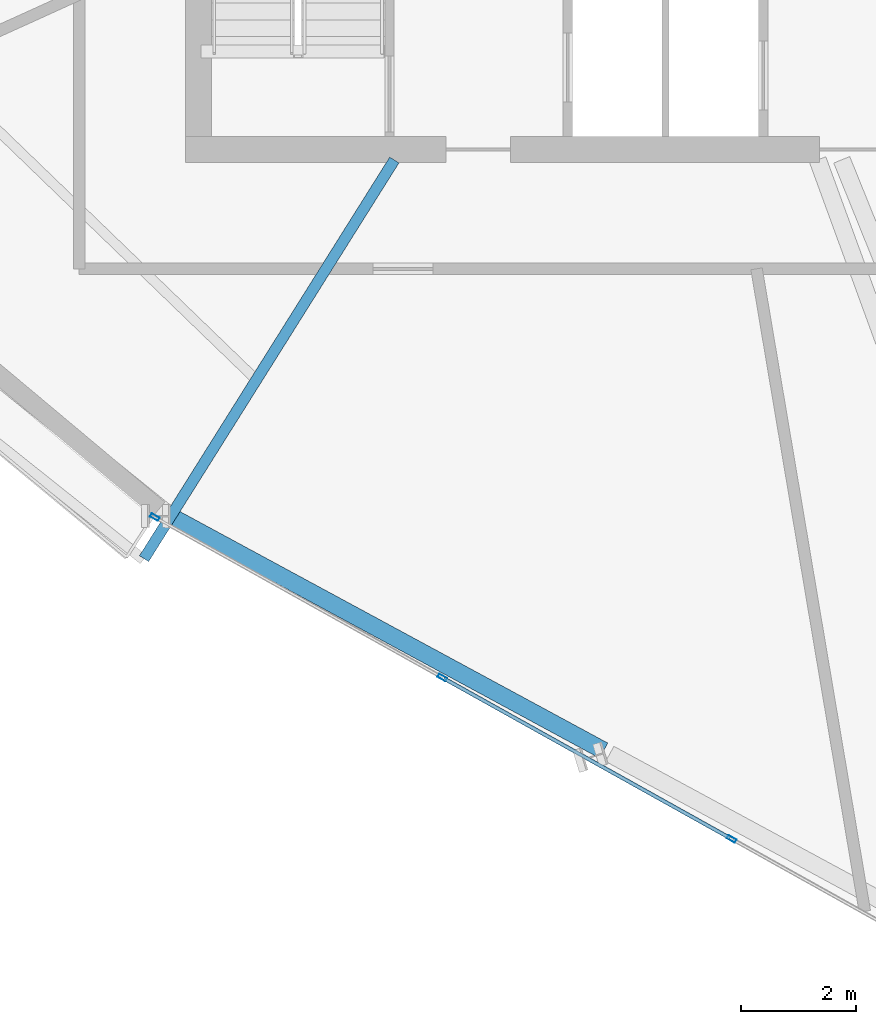
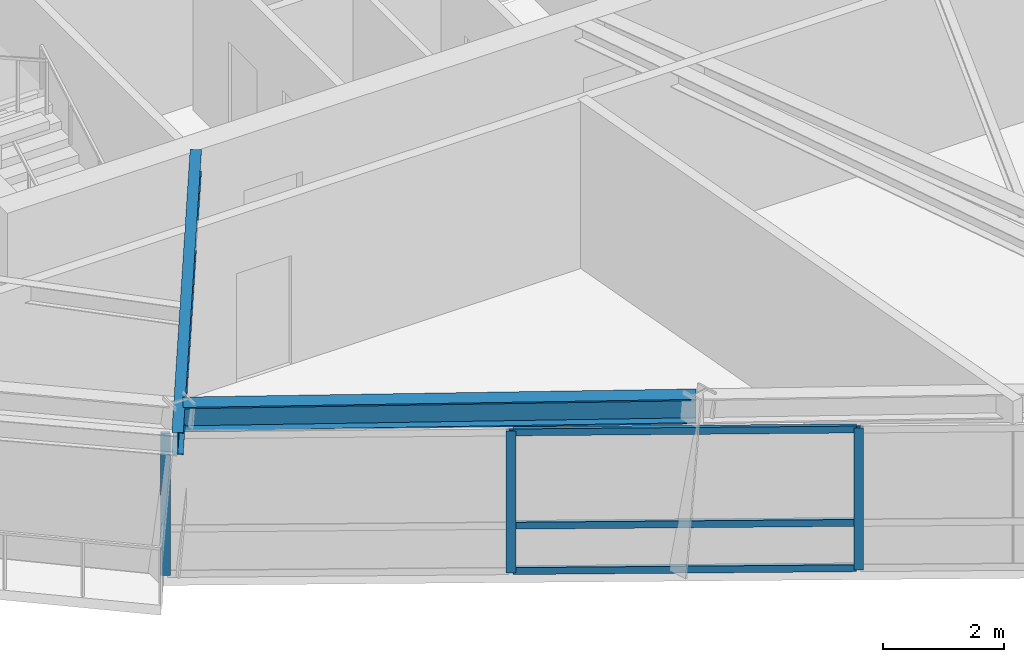
# One storey, part 2 of 13: 6 members, 2 beams, 1 element without a shape of its own.
"""IFC4 building model written with IfcOpenShell, lengths in metres."""

from ifc_helpers import new_model, si_unit, direction, frame, origin, origin_2d, place, context, subcontext, project, spatial, hollow_rectangle, i_section, extrude, source, transform, mapped, material, material_profile, profile_set, type_object, element, aggregate, save


model = new_model("IFC4")

# Units and contexts
model_context = context("Model", 3, precision=1e-05, world=origin(), true_north=direction((0.0, 1.0)))
body_context = subcontext(model_context, "Body", "Model", "MODEL_VIEW")
ifc_project = project(units=[si_unit("LENGTHUNIT", "METRE"), si_unit("AREAUNIT", "SQUARE_METRE"), si_unit("VOLUMEUNIT", "CUBIC_METRE"), si_unit("PLANEANGLEUNIT", "RADIAN"), si_unit("MASSUNIT", "GRAM", prefix="KILO")], contexts=[model_context])

# Site, building, storey
site_placement = place(None, origin())
site = spatial("IfcSite", under=ifc_project, at=site_placement, CompositionType="ELEMENT")
building_placement = place(site_placement, origin())
building = spatial("IfcBuilding", under=site, at=building_placement, Name="Olszyna Solenne Hotel", CompositionType="ELEMENT")
storey_placement = place(building_placement, frame((0.0, 0.0, 266.89990234375)))
storey = spatial("IfcBuildingStorey", under=building, at=storey_placement, Name="L71", CompositionType="ELEMENT", Elevation=266.89990234375)

# Beams
ifc_material_1 = material(Name="Steel S355J2", Category="steel")
ifc_material_profile_1 = material_profile(ifc_material_1, i_section(OverallWidth=0.300048828125, OverallDepth=0.5, WebThickness=0.014404296875, FlangeThickness=0.028076171875, at=origin_2d()), Name="HEB 500", Category="load-bearing")
ifc_profile_set_1 = profile_set([ifc_material_profile_1], Name="Steel S355J2")
beam_type_1 = type_object("IfcBeamType", Name="BM-S3", PredefinedType="BEAM", material=ifc_profile_set_1)
shared_shape_1 = source(origin(), body_context, "Body", "SweptSolid", [
    extrude(i_section(OverallWidth=0.300048828125, OverallDepth=0.5, WebThickness=0.014404296875, FlangeThickness=0.028076171875, at=origin_2d()), origin(), (0.0, 0.0, 1.0), 8.508056640625),
])
beam_1_placement = place(storey_placement, frame((29.442626953125, 12.867431640625, 3.130126953125), z_axis=(0.879509188513, -0.475881904806, 0.0), x_axis=(0.475881904806, 0.879509188513, 0.0)))
element("IfcBeam", 1, at=beam_1_placement, inside=storey, type_object=beam_type_1, Name="Perimeter spandrel beam BM-S3 B-L71-2088", PredefinedType="BEAM", context=body_context, shape_type="MappedRepresentation", body=[
    mapped(shared_shape_1, transform((0.0, 0.0, 0.0), x_axis=(1.0, 0.0, 0.0), y_axis=(0.0, 1.0, 0.0), z_axis=(0.0, 0.0, 1.0), scale=1.0)),
])
ifc_material_profile_2 = material_profile(ifc_material_1, i_section(OverallWidth=0.18994140625, OverallDepth=0.449951171875, WebThickness=0.009521484375, FlangeThickness=0.0146484375, at=origin_2d()), Name="IPE 450", Category="load-bearing")
ifc_profile_set_2 = profile_set([ifc_material_profile_2], Name="Steel S355J2")
beam_type_2 = type_object("IfcBeamType", Name="BM-F4", PredefinedType="BEAM", material=ifc_profile_set_2)
shared_shape_2 = source(origin(), body_context, "Body", "SweptSolid", [
    extrude(i_section(OverallWidth=0.18994140625, OverallDepth=0.449951171875, WebThickness=0.009521484375, FlangeThickness=0.0146484375, at=origin_2d()), origin(), (0.0, 0.0, 1.0), 8.188232421875),
])
beam_2_placement = place(storey_placement, frame((28.928955078125, 12.15771484375, 3.155029296875), z_axis=(0.531745255386, 0.846904353144, 0.0), x_axis=(-0.846904353144, 0.531745255386, 0.0)))
element("IfcBeam", 2, at=beam_2_placement, inside=storey, type_object=beam_type_2, Name="Radial floor girder BM-F4 B-L71-2099", PredefinedType="BEAM", context=body_context, shape_type="MappedRepresentation", body=[
    mapped(shared_shape_2, transform((0.0, 0.0, 0.0), x_axis=(1.0, 0.0, 0.0), y_axis=(0.0, 1.0, 0.0), z_axis=(0.0, 0.0, 1.0), scale=1.0)),
])

# Curtain wall, members
ifc_material_2 = material(Name="Anodised bronze aluminium", Category="aluminium")
curtain_wall_type = type_object("IfcCurtainWallType", Name="CW-SYS-4", PredefinedType="NOTDEFINED", material=ifc_material_2)
curtain_wall_placement = place(storey_placement, origin())
curtain_wall = element("IfcCurtainWall", 3, at=curtain_wall_placement, inside=storey, type_object=curtain_wall_type, Name="Unitised curtain wall CW-SYS-4 CW-L71-01", PredefinedType="NOTDEFINED")
ifc_material_profile_3 = material_profile(ifc_material_2, hollow_rectangle(XDim=0.06494140625, YDim=0.159912109375, WallThickness=0.00390625, at=origin_2d()), Name="MULL 160x65x4", Category="load-bearing")
ifc_profile_set_3 = profile_set([ifc_material_profile_3], Name="Anodised bronze aluminium")
member_type_1 = type_object("IfcMemberType", Name="CW-M3", PredefinedType="MULLION", material=ifc_profile_set_3)
shared_shape_3 = source(origin(), body_context, "Body", "SweptSolid", [
    extrude(hollow_rectangle(XDim=0.06494140625, YDim=0.159912109375, WallThickness=0.00390625, at=origin_2d()), origin(), (0.0, 0.0, 1.0), 2.8720703125),
])
member_1_placement = place(storey_placement, frame((29.1142578125, 12.880859375, 0.0), z_axis=(0.0, 0.0, 1.0), x_axis=(0.487245732565, 0.873264906026, 0.0)))
member_1 = element("IfcMember", 4, at=member_1_placement, type_object=member_type_1, Name="Curtain-wall mullion CW-M3 CM-L71-01-01", PredefinedType="MULLION", context=body_context, shape_type="MappedRepresentation", body=[
    mapped(shared_shape_3, transform((0.0, 0.0, 0.0), x_axis=(1.0, 0.0, 0.0), y_axis=(0.0, 1.0, 0.0), z_axis=(0.0, 0.0, 1.0), scale=1.0)),
])
member_2_placement = place(storey_placement, frame((34.117919921875, 10.089111328125, 0.0), z_axis=(0.0, 0.0, 1.0), x_axis=(0.487245732565, 0.873264906026, 0.0)))
member_2 = element("IfcMember", 5, at=member_2_placement, type_object=member_type_1, Name="Curtain-wall mullion CW-M3 CM-L71-01-02", PredefinedType="MULLION", context=body_context, shape_type="MappedRepresentation", body=[
    mapped(shared_shape_3, transform((0.0, 0.0, 0.0), x_axis=(1.0, 0.0, 0.0), y_axis=(0.0, 1.0, 0.0), z_axis=(0.0, 0.0, 1.0), scale=1.0)),
])
member_3_placement = place(storey_placement, frame((39.14990234375, 7.281494140625, 0.0), z_axis=(0.0, 0.0, 1.0), x_axis=(0.487245732565, 0.873264906026, 0.0)))
member_3 = element("IfcMember", 6, at=member_3_placement, type_object=member_type_1, Name="Curtain-wall mullion CW-M3 CM-L71-01-03", PredefinedType="MULLION", context=body_context, shape_type="MappedRepresentation", body=[
    mapped(shared_shape_3, transform((0.0, 0.0, 0.0), x_axis=(1.0, 0.0, 0.0), y_axis=(0.0, 1.0, 0.0), z_axis=(0.0, 0.0, 1.0), scale=1.0)),
])
ifc_material_profile_4 = material_profile(ifc_material_2, hollow_rectangle(XDim=0.06494140625, YDim=0.139892578125, WallThickness=0.00390625, at=origin_2d()), Name="TRAN 140x65x4", Category="load-bearing")
ifc_profile_set_4 = profile_set([ifc_material_profile_4], Name="Anodised bronze aluminium")
member_type_2 = type_object("IfcMemberType", Name="CW-T2", PredefinedType="USERDEFINED", material=ifc_profile_set_4)
shared_shape_4 = source(origin(), body_context, "Body", "SweptSolid", [
    extrude(hollow_rectangle(XDim=0.06494140625, YDim=0.139892578125, WallThickness=0.00390625, at=origin_2d()), origin(), (0.0, 0.0, 1.0), 5.697265625),
])
member_4_placement = place(storey_placement, frame((34.146240234375, 10.0732421875, 0.03271484375), z_axis=(0.873276573208, -0.487224821501, 0.0), x_axis=(0.487224821501, 0.873276573208, 0.0)))
member_4 = element("IfcMember", 7, at=member_4_placement, type_object=member_type_2, Name="Curtain-wall transom CW-T2 CT-L71-01-04", ObjectType="TRANSOM", PredefinedType="USERDEFINED", context=body_context, shape_type="MappedRepresentation", body=[
    mapped(shared_shape_4, transform((0.0, 0.0, 0.0), x_axis=(1.0, 0.0, 0.0), y_axis=(0.0, 1.0, 0.0), z_axis=(0.0, 0.0, 1.0), scale=1.0)),
])
member_5_placement = place(storey_placement, frame((34.146240234375, 10.0732421875, 0.9501953125), z_axis=(0.873276573208, -0.487224821501, 0.0), x_axis=(0.487224821501, 0.873276573208, 0.0)))
member_5 = element("IfcMember", 8, at=member_5_placement, type_object=member_type_2, Name="Curtain-wall transom CW-T2 CT-L71-01-05", ObjectType="TRANSOM", PredefinedType="USERDEFINED", context=body_context, shape_type="MappedRepresentation", body=[
    mapped(shared_shape_4, transform((0.0, 0.0, 0.0), x_axis=(1.0, 0.0, 0.0), y_axis=(0.0, 1.0, 0.0), z_axis=(0.0, 0.0, 1.0), scale=1.0)),
])
member_6_placement = place(storey_placement, frame((34.146240234375, 10.0732421875, 2.839599609375), z_axis=(0.873276573208, -0.487224821501, 0.0), x_axis=(0.487224821501, 0.873276573208, 0.0)))
member_6 = element("IfcMember", 9, at=member_6_placement, type_object=member_type_2, Name="Curtain-wall transom CW-T2 CT-L71-01-06", ObjectType="TRANSOM", PredefinedType="USERDEFINED", context=body_context, shape_type="MappedRepresentation", body=[
    mapped(shared_shape_4, transform((0.0, 0.0, 0.0), x_axis=(1.0, 0.0, 0.0), y_axis=(0.0, 1.0, 0.0), z_axis=(0.0, 0.0, 1.0), scale=1.0)),
])
aggregate(curtain_wall, [member_1, member_2, member_3, member_4, member_5, member_6])

save(model, "model.ifc")
